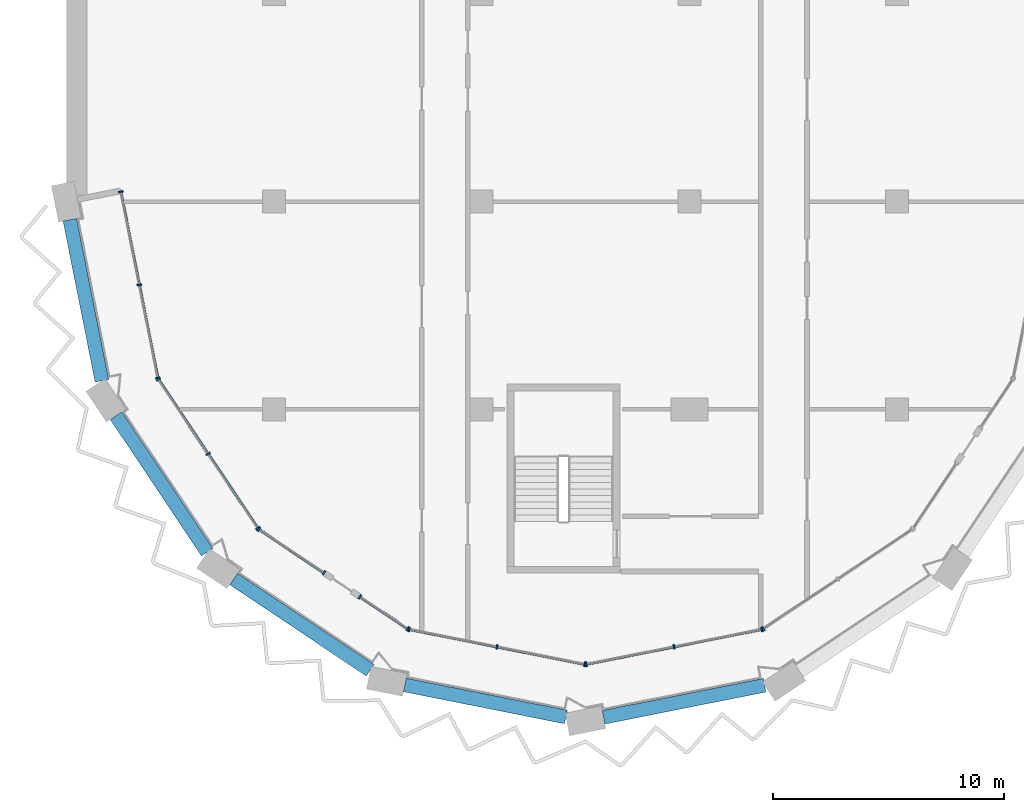
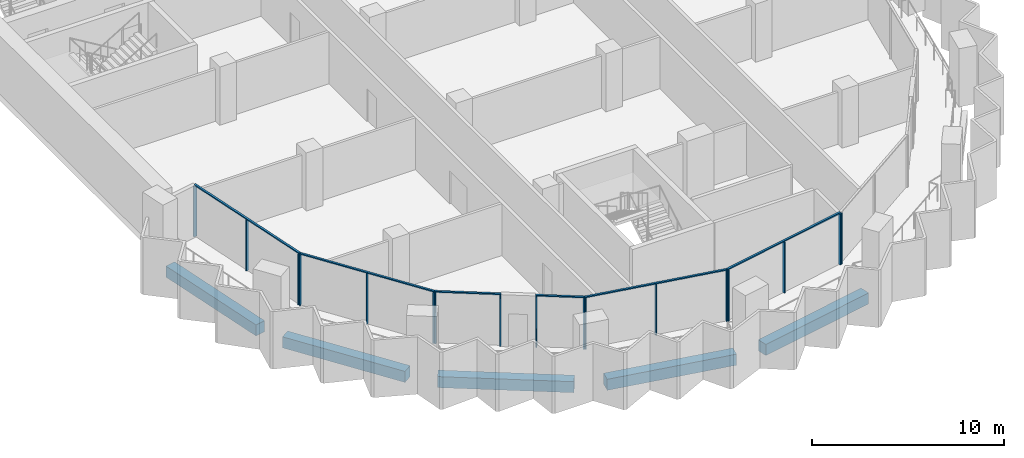
# One storey, part 2 of 16: 23 members, 5 beams, 7 elements without a shape of their own.
"""IFC4 building model written with IfcOpenShell, lengths in metres."""

from ifc_helpers import new_model, si_unit, direction, frame, origin, origin_2d, place, context, subcontext, project, spatial, rectangle, extrude, material, material_profile, profile_set, type_object, element, aggregate, save


model = new_model("IFC4")

# Units and contexts
model_context = context("Model", 3, precision=1e-05, world=origin(), true_north=direction((0.0, 1.0)))
body_context = subcontext(model_context, "Body", "Model", "MODEL_VIEW")
ifc_project = project(units=[si_unit("LENGTHUNIT", "METRE"), si_unit("AREAUNIT", "SQUARE_METRE"), si_unit("VOLUMEUNIT", "CUBIC_METRE"), si_unit("PLANEANGLEUNIT", "RADIAN"), si_unit("MASSUNIT", "GRAM", prefix="KILO")], contexts=[model_context])

# Site, building, storey
site_placement = place(None, origin())
site = spatial("IfcSite", under=ifc_project, at=site_placement, CompositionType="ELEMENT")
building_placement = place(site_placement, origin())
building = spatial("IfcBuilding", under=site, at=building_placement, Name="Hunhe Ridgeline Campus", CompositionType="ELEMENT")
storey_placement = place(building_placement, frame((0.0, 0.0, 250.300048828125)))
storey = spatial("IfcBuildingStorey", under=building, at=storey_placement, Name="L64", CompositionType="ELEMENT", Elevation=250.300048828125)

# Curtain wall, members
ifc_material_1 = material(Name="Aluminium 6063", Category="aluminium")
curtain_wall_type = type_object("IfcCurtainWallType", Name="Curtain wall CW-5", PredefinedType="NOTDEFINED", material=ifc_material_1)
curtain_wall_1_placement = place(storey_placement, origin())
curtain_wall_1 = element("IfcCurtainWall", 1, at=curtain_wall_1_placement, inside=storey, type_object=curtain_wall_type, Name="Curtain wall 01", PredefinedType="NOTDEFINED")
ifc_material_profile_1 = material_profile(ifc_material_1, rectangle(XDim=0.199951171875, YDim=0.070068359375, at=origin_2d()))
ifc_profile_set_1 = profile_set([ifc_material_profile_1], Name="Aluminium 6063")
member_type_1 = type_object("IfcMemberType", Name="CW-5 aluminium mullion", PredefinedType="MULLION", material=ifc_profile_set_1)
member_1_placement = place(storey_placement, frame((2.361572265625, 45.434326171875, 0.0), z_axis=(0.0, 0.0, 1.0), x_axis=(0.980784280831, 0.195095347137, 0.0)))
member_1 = element("IfcMember", 2, at=member_1_placement, type_object=member_type_1, Name="CW-5 mullion 1", PredefinedType="MULLION", context=body_context, shape_type="SweptSolid", body=[
    extrude(rectangle(XDim=0.199951171875, YDim=0.070068359375, at=origin_2d()), origin(), (0.0, 0.0, 1.0), 3.22998046875),
])
member_2_placement = place(storey_placement, frame((3.16455078125, 41.3974609375, 0.0), z_axis=(0.0, 0.0, 1.0), x_axis=(0.980784280831, 0.195095347137, 0.0)))
member_2 = element("IfcMember", 3, at=member_2_placement, type_object=member_type_1, Name="CW-5 mullion 2", PredefinedType="MULLION", context=body_context, shape_type="SweptSolid", body=[
    extrude(rectangle(XDim=0.199951171875, YDim=0.070068359375, at=origin_2d()), origin(), (0.0, 0.0, 1.0), 3.22998046875),
])
member_3_placement = place(storey_placement, frame((3.967529296875, 37.36083984375, 0.0), z_axis=(0.0, 0.0, 1.0), x_axis=(0.980784280831, 0.195095347137, 0.0)))
member_3 = element("IfcMember", 4, at=member_3_placement, type_object=member_type_1, Name="CW-5 mullion 3", PredefinedType="MULLION", context=body_context, shape_type="SweptSolid", body=[
    extrude(rectangle(XDim=0.199951171875, YDim=0.070068359375, at=origin_2d()), origin(), (0.0, 0.0, 1.0), 3.22998046875),
])

curtain_wall_2_placement = place(storey_placement, origin())
curtain_wall_2 = element("IfcCurtainWall", 5, at=curtain_wall_2_placement, inside=storey, type_object=curtain_wall_type, Name="Curtain wall 02", PredefinedType="NOTDEFINED")
member_4_placement = place(storey_placement, frame((3.993896484375, 37.29736328125, 0.0), z_axis=(0.0, 0.0, 1.0), x_axis=(0.831469584522, 0.555570274596, 0.0)))
member_4 = element("IfcMember", 6, at=member_4_placement, type_object=member_type_1, Name="CW-5 mullion 1", PredefinedType="MULLION", context=body_context, shape_type="SweptSolid", body=[
    extrude(rectangle(XDim=0.199951171875, YDim=0.070068359375, at=origin_2d()), origin(), (0.0, 0.0, 1.0), 3.22998046875),
])
member_5_placement = place(storey_placement, frame((6.147705078125, 34.07373046875, 0.0), z_axis=(0.0, 0.0, 1.0), x_axis=(0.831469584522, 0.555570274596, 0.0)))
member_5 = element("IfcMember", 7, at=member_5_placement, type_object=member_type_1, Name="CW-5 mullion 2", PredefinedType="MULLION", context=body_context, shape_type="SweptSolid", body=[
    extrude(rectangle(XDim=0.199951171875, YDim=0.070068359375, at=origin_2d()), origin(), (0.0, 0.0, 1.0), 3.22998046875),
])
member_6_placement = place(storey_placement, frame((8.3017578125, 30.850341796875, 0.0), z_axis=(0.0, 0.0, 1.0), x_axis=(0.831469584522, 0.555570274596, 0.0)))
member_6 = element("IfcMember", 8, at=member_6_placement, type_object=member_type_1, Name="CW-5 mullion 3", PredefinedType="MULLION", context=body_context, shape_type="SweptSolid", body=[
    extrude(rectangle(XDim=0.199951171875, YDim=0.070068359375, at=origin_2d()), origin(), (0.0, 0.0, 1.0), 3.22998046875),
])

curtain_wall_3_placement = place(storey_placement, origin())
curtain_wall_3 = element("IfcCurtainWall", 9, at=curtain_wall_3_placement, inside=storey, type_object=curtain_wall_type, Name="Curtain wall 03", PredefinedType="NOTDEFINED")
member_7_placement = place(storey_placement, frame((8.350341796875, 30.8017578125, 0.0), z_axis=(0.0, 0.0, 1.0), x_axis=(0.555570257501, 0.831469595944, 0.0)))
member_7 = element("IfcMember", 10, at=member_7_placement, type_object=member_type_1, Name="CW-5 mullion 1", PredefinedType="MULLION", context=body_context, shape_type="SweptSolid", body=[
    extrude(rectangle(XDim=0.199951171875, YDim=0.070068359375, at=origin_2d()), origin(), (0.0, 0.0, 1.0), 3.22998046875),
])
member_8_placement = place(storey_placement, frame((11.17041015625, 28.917236328125, 0.0), z_axis=(0.0, 0.0, 1.0), x_axis=(0.555570257501, 0.831469595944, 0.0)))
member_8 = element("IfcMember", 11, at=member_8_placement, type_object=member_type_1, Name="CW-5 mullion 2", PredefinedType="MULLION", context=body_context, shape_type="SweptSolid", body=[
    extrude(rectangle(XDim=0.199951171875, YDim=0.070068359375, at=origin_2d()), origin(), (0.0, 0.0, 1.0), 3.22998046875),
])

curtain_wall_4_placement = place(storey_placement, origin())
curtain_wall_4 = element("IfcCurtainWall", 12, at=curtain_wall_4_placement, inside=storey, type_object=curtain_wall_type, Name="Curtain wall 04", PredefinedType="NOTDEFINED")
member_9_placement = place(storey_placement, frame((12.725341796875, 27.87841796875, 0.0), z_axis=(0.0, 0.0, 1.0), x_axis=(0.555570385598, 0.831469510353, 0.0)))
member_9 = element("IfcMember", 13, at=member_9_placement, type_object=member_type_1, Name="CW-5 mullion 1", PredefinedType="MULLION", context=body_context, shape_type="SweptSolid", body=[
    extrude(rectangle(XDim=0.199951171875, YDim=0.070068359375, at=origin_2d()), origin(), (0.0, 0.0, 1.0), 3.22998046875),
])
member_10_placement = place(storey_placement, frame((14.79736328125, 26.493896484375, 0.0), z_axis=(0.0, 0.0, 1.0), x_axis=(0.555570385598, 0.831469510353, 0.0)))
member_10 = element("IfcMember", 14, at=member_10_placement, type_object=member_type_1, Name="CW-5 mullion 2", PredefinedType="MULLION", context=body_context, shape_type="SweptSolid", body=[
    extrude(rectangle(XDim=0.199951171875, YDim=0.070068359375, at=origin_2d()), origin(), (0.0, 0.0, 1.0), 3.22998046875),
])

curtain_wall_5_placement = place(storey_placement, origin())
curtain_wall_5 = element("IfcCurtainWall", 15, at=curtain_wall_5_placement, inside=storey, type_object=curtain_wall_type, Name="Curtain wall 05", PredefinedType="NOTDEFINED")
member_11_placement = place(storey_placement, frame((14.86083984375, 26.467529296875, 0.0), z_axis=(0.0, 0.0, 1.0), x_axis=(0.195090347539, 0.980785275326, 0.0)))
member_11 = element("IfcMember", 16, at=member_11_placement, type_object=member_type_1, Name="CW-5 mullion 1", PredefinedType="MULLION", context=body_context, shape_type="SweptSolid", body=[
    extrude(rectangle(XDim=0.199951171875, YDim=0.070068359375, at=origin_2d()), origin(), (0.0, 0.0, 1.0), 3.22998046875),
])
member_12_placement = place(storey_placement, frame((18.663330078125, 25.711181640625, 0.0), z_axis=(0.0, 0.0, 1.0), x_axis=(0.195090347539, 0.980785275326, 0.0)))
member_12 = element("IfcMember", 17, at=member_12_placement, type_object=member_type_1, Name="CW-5 mullion 2", PredefinedType="MULLION", context=body_context, shape_type="SweptSolid", body=[
    extrude(rectangle(XDim=0.199951171875, YDim=0.070068359375, at=origin_2d()), origin(), (0.0, 0.0, 1.0), 3.22998046875),
])
member_13_placement = place(storey_placement, frame((22.465576171875, 24.954833984375, 0.0), z_axis=(0.0, 0.0, 1.0), x_axis=(0.195090347539, 0.980785275326, 0.0)))
member_13 = element("IfcMember", 18, at=member_13_placement, type_object=member_type_1, Name="CW-5 mullion 3", PredefinedType="MULLION", context=body_context, shape_type="SweptSolid", body=[
    extrude(rectangle(XDim=0.199951171875, YDim=0.070068359375, at=origin_2d()), origin(), (0.0, 0.0, 1.0), 3.22998046875),
])

curtain_wall_6_placement = place(storey_placement, origin())
curtain_wall_6 = element("IfcCurtainWall", 19, at=curtain_wall_6_placement, inside=storey, type_object=curtain_wall_type, Name="Curtain wall 06", PredefinedType="NOTDEFINED")
member_14_placement = place(storey_placement, frame((22.534423828125, 24.954833984375, 0.0), z_axis=(0.0, 0.0, 1.0), x_axis=(-0.195090347539, 0.980785275326, 0.0)))
member_14 = element("IfcMember", 20, at=member_14_placement, type_object=member_type_1, Name="CW-5 mullion 1", PredefinedType="MULLION", context=body_context, shape_type="SweptSolid", body=[
    extrude(rectangle(XDim=0.199951171875, YDim=0.070068359375, at=origin_2d()), origin(), (0.0, 0.0, 1.0), 3.22998046875),
])
member_15_placement = place(storey_placement, frame((26.336669921875, 25.711181640625, 0.0), z_axis=(0.0, 0.0, 1.0), x_axis=(-0.195090347539, 0.980785275326, 0.0)))
member_15 = element("IfcMember", 21, at=member_15_placement, type_object=member_type_1, Name="CW-5 mullion 2", PredefinedType="MULLION", context=body_context, shape_type="SweptSolid", body=[
    extrude(rectangle(XDim=0.199951171875, YDim=0.070068359375, at=origin_2d()), origin(), (0.0, 0.0, 1.0), 3.22998046875),
])
member_16_placement = place(storey_placement, frame((30.13916015625, 26.467529296875, 0.0), z_axis=(0.0, 0.0, 1.0), x_axis=(-0.195090347539, 0.980785275326, 0.0)))
member_16 = element("IfcMember", 22, at=member_16_placement, type_object=member_type_1, Name="CW-5 mullion 3", PredefinedType="MULLION", context=body_context, shape_type="SweptSolid", body=[
    extrude(rectangle(XDim=0.199951171875, YDim=0.070068359375, at=origin_2d()), origin(), (0.0, 0.0, 1.0), 3.22998046875),
])

# Curtain wall, member
curtain_wall_7_placement = place(storey_placement, origin())
curtain_wall_7 = element("IfcCurtainWall", 23, at=curtain_wall_7_placement, inside=storey, type_object=curtain_wall_type, Name="Curtain wall 07", PredefinedType="NOTDEFINED")
member_17_placement = place(storey_placement, frame((30.20263671875, 26.493896484375, 0.0), z_axis=(0.0, 0.0, 1.0), x_axis=(-0.555570274596, 0.831469584522, 0.0)))
member_17 = element("IfcMember", 24, at=member_17_placement, type_object=member_type_1, Name="CW-5 mullion 1", PredefinedType="MULLION", context=body_context, shape_type="SweptSolid", body=[
    extrude(rectangle(XDim=0.199951171875, YDim=0.070068359375, at=origin_2d()), origin(), (0.0, 0.0, 1.0), 3.22998046875),
])
aggregate(curtain_wall_7, [member_17])

# Member
ifc_material_profile_2 = material_profile(ifc_material_1, rectangle(XDim=0.1201171875, YDim=0.070068359375, at=origin_2d()))
ifc_profile_set_2 = profile_set([ifc_material_profile_2], Name="Aluminium 6063")
member_type_2 = type_object("IfcMemberType", Name="CW-5 aluminium transom", PredefinedType="USERDEFINED", material=ifc_profile_set_2)
member_18_placement = place(storey_placement, frame((2.354736328125, 45.46875, 3.264892578125), z_axis=(0.195092405068, -0.980784866056, 0.0), x_axis=(0.980784866056, 0.195092405068, 0.0)))
member_18 = element("IfcMember", 25, at=member_18_placement, type_object=member_type_2, Name="CW-5 transom 1", ObjectType="TRANSOM", PredefinedType="USERDEFINED", context=body_context, shape_type="SweptSolid", body=[
    extrude(rectangle(XDim=0.1201171875, YDim=0.070068359375, at=origin_2d()), origin(), (0.0, 0.0, 1.0), 8.3017578125),
])

aggregate(curtain_wall_1, [member_18, member_1, member_2, member_3])

member_19_placement = place(storey_placement, frame((3.974365234375, 37.326416015625, 3.264892578125), z_axis=(0.5555640203, -0.831473763475, 0.0), x_axis=(0.831473763475, 0.5555640203, 0.0)))
member_19 = element("IfcMember", 26, at=member_19_placement, type_object=member_type_2, Name="CW-5 transom 1", ObjectType="TRANSOM", PredefinedType="USERDEFINED", context=body_context, shape_type="SweptSolid", body=[
    extrude(rectangle(XDim=0.1201171875, YDim=0.070068359375, at=origin_2d()), origin(), (0.0, 0.0, 1.0), 7.823974609375),
])

aggregate(curtain_wall_2, [member_19, member_4, member_5, member_6])

member_20_placement = place(storey_placement, frame((8.321044921875, 30.821044921875, 3.264892578125), z_axis=(0.831485714606, -0.555546133463, 0.0), x_axis=(0.555546133463, 0.831485714606, 0.0)))
member_20 = element("IfcMember", 27, at=member_20_placement, type_object=member_type_2, Name="CW-5 transom 1", ObjectType="TRANSOM", PredefinedType="USERDEFINED", context=body_context, shape_type="SweptSolid", body=[
    extrude(rectangle(XDim=0.1201171875, YDim=0.070068359375, at=origin_2d()), origin(), (0.0, 0.0, 1.0), 3.462158203125),
])

aggregate(curtain_wall_3, [member_20, member_7, member_8])

member_21_placement = place(storey_placement, frame((12.6962890625, 27.897705078125, 3.264892578125), z_axis=(0.831463388334, -0.555579547735, 0.0), x_axis=(0.555579547735, 0.831463388334, 0.0)))
member_21 = element("IfcMember", 28, at=member_21_placement, type_object=member_type_2, Name="CW-5 transom 1", ObjectType="TRANSOM", PredefinedType="USERDEFINED", context=body_context, shape_type="SweptSolid", body=[
    extrude(rectangle(XDim=0.1201171875, YDim=0.070068359375, at=origin_2d()), origin(), (0.0, 0.0, 1.0), 2.56201171875),
])

aggregate(curtain_wall_4, [member_21, member_9, member_10])

member_22_placement = place(storey_placement, frame((14.826416015625, 26.474365234375, 3.264892578125), z_axis=(0.980785367689, -0.195089883198, 0.0), x_axis=(0.195089883198, 0.980785367689, 0.0)))
member_22 = element("IfcMember", 29, at=member_22_placement, type_object=member_type_2, Name="CW-5 transom 1", ObjectType="TRANSOM", PredefinedType="USERDEFINED", context=body_context, shape_type="SweptSolid", body=[
    extrude(rectangle(XDim=0.1201171875, YDim=0.070068359375, at=origin_2d()), origin(), (0.0, 0.0, 1.0), 7.823974609375),
])

aggregate(curtain_wall_5, [member_22, member_11, member_12, member_13])

member_23_placement = place(storey_placement, frame((22.5, 24.947998046875, 3.264892578125), z_axis=(0.980785367689, 0.195089883198, 0.0), x_axis=(-0.195089883198, 0.980785367689, 0.0)))
member_23 = element("IfcMember", 30, at=member_23_placement, type_object=member_type_2, Name="CW-5 transom 1", ObjectType="TRANSOM", PredefinedType="USERDEFINED", context=body_context, shape_type="SweptSolid", body=[
    extrude(rectangle(XDim=0.1201171875, YDim=0.070068359375, at=origin_2d()), origin(), (0.0, 0.0, 1.0), 7.823974609375),
])

aggregate(curtain_wall_6, [member_23, member_14, member_15, member_16])

# Beams
ifc_material_2 = material(Name="Concrete C50", Category="concrete")
ifc_material_profile_3 = material_profile(ifc_material_2, rectangle(XDim=0.60009765625, YDim=0.699951171875, at=origin_2d()))
ifc_profile_set_3 = profile_set([ifc_material_profile_3], Name="Concrete C50")
beam_type = type_object("IfcBeamType", Name="RC spandrel beam 600x700 Concrete C50", PredefinedType="SPANDREL", material=ifc_profile_set_3)
for number, where, z_axis, x_axis, name in (
    (31, (0.156005859375, 44.21533203125, -0.60009765625), (0.195092933717, -0.9807847609, 0.0), (0.9807847609, 0.195092933717, 0.0), "Spandrel beam B4-1 L64"),
    (32, (2.1572265625, 35.724365234375, -0.60009765625), (0.55557907181, -0.831463706344, 0.0), (0.831463706344, 0.55557907181, 0.0), "Spandrel beam B4-2 L64"),
    (33, (7.25537109375, 28.645751953125, -0.60009765625), (0.831463706344, -0.55557907181, 0.0), (0.55557907181, 0.831463706344, 0.0), "Spandrel beam B4-3 L64"),
    (34, (14.67431640625, 24.056640625, -0.60009765625), (0.9807847609, -0.195092933717, 0.0), (0.195092933717, 0.9807847609, 0.0), "Spandrel beam B4-4 L64"),
    (35, (23.28466796875, 22.656005859375, -0.60009765625), (0.9807847609, 0.195092933717, 0.0), (-0.195092933717, 0.9807847609, 0.0), "Spandrel beam B4-5 L64"),
):
    element("IfcBeam", number, at=place(storey_placement, frame(where, z_axis=z_axis, x_axis=x_axis)), inside=storey, type_object=beam_type, Name=name, PredefinedType="SPANDREL", context=body_context, shape_type="SweptSolid", body=[
        extrude(rectangle(XDim=0.60009765625, YDim=0.699951171875, at=origin_2d()), origin(), (0.0, 0.0, 1.0), 7.113037109375),
    ])

save(model, "model.ifc")
